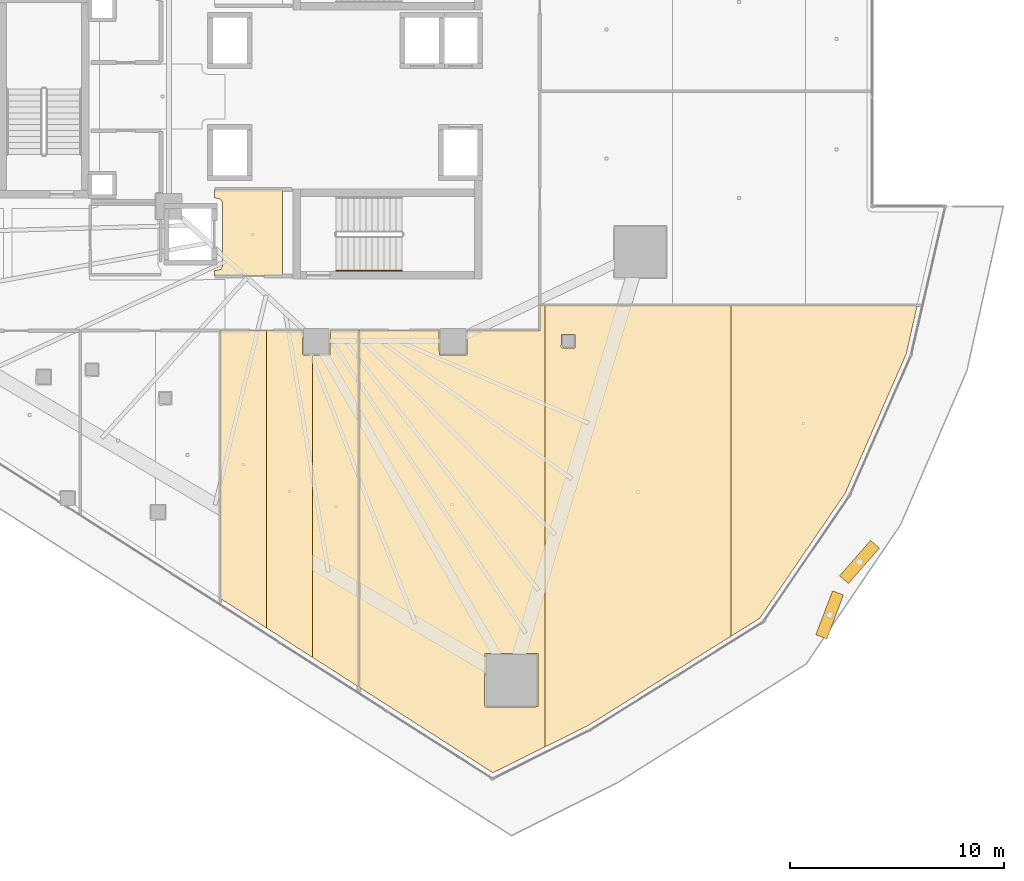
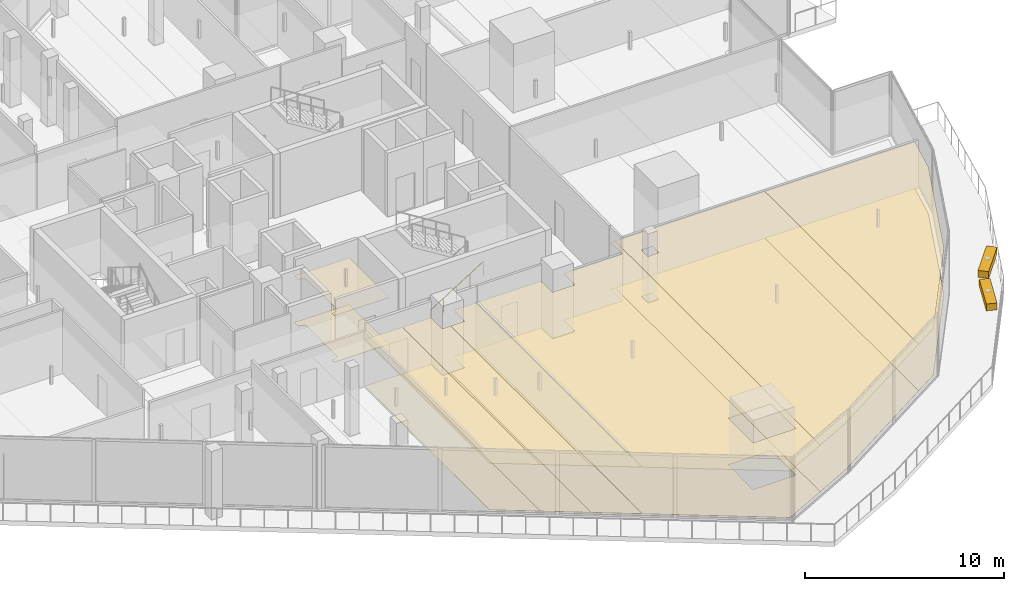
# One storey, part 41 of 47: 14 coverings, 2 shading devices, 1 railing.
"""IFC4 building model written with IfcOpenShell, lengths in metres."""

from ifc_helpers import new_model, si_unit, direction, frame, origin, origin_2d, place, context, subcontext, project, spatial, polyline, rectangle, circle, outline, extrude, material, layer, layer_set, type_object, element, save


model = new_model("IFC4")

# Units and contexts
model_context = context("Model", 3, precision=1e-05, world=origin(), true_north=direction((0.0, 1.0)))
body_context = subcontext(model_context, "Body", "Model", "MODEL_VIEW")
ifc_project = project(units=[si_unit("LENGTHUNIT", "METRE"), si_unit("AREAUNIT", "SQUARE_METRE"), si_unit("VOLUMEUNIT", "CUBIC_METRE"), si_unit("PLANEANGLEUNIT", "RADIAN"), si_unit("MASSUNIT", "GRAM", prefix="KILO")], contexts=[model_context])

# Site, building, storey
site_placement = place(None, origin())
site = spatial("IfcSite", under=ifc_project, at=site_placement, CompositionType="ELEMENT")
building_placement = place(site_placement, origin())
building = spatial("IfcBuilding", under=site, at=building_placement, Name="Qorvath Tower", CompositionType="ELEMENT")
storey_placement = place(building_placement, frame((0.0, 0.0, 82.800048828125)))
storey = spatial("IfcBuildingStorey", under=building, at=storey_placement, Name="L18", CompositionType="ELEMENT", Elevation=82.800048828125)

# Coverings
ifc_material_1 = material(Name="Acoustic mineral fibre ceiling tile", Category="gypsum")
ifc_layer_1 = layer(ifc_material_1, 0.030029296875)
ifc_layer_set_1 = layer_set([ifc_layer_1], Name="COV-CEIL")
covering_type_1 = type_object("IfcCoveringType", Name="COV-CEIL", PredefinedType="CEILING", material=ifc_layer_set_1)
covering_1_placement = place(storey_placement, frame((0.0, 0.0, 2.849853515625)))
element("IfcCovering", 1, at=covering_1_placement, inside=storey, type_object=covering_type_1, Name="L18 Suspended Acoustic Ceiling 002", PredefinedType="CEILING", context=body_context, shape_type="SweptSolid", body=[
    extrude(outline(polyline([(-25.18994140625, -8.39501953125), (-25.18994140625, -4.35498046875), (-28.375, -4.35498046875), (-28.375, -4.739990234375), (-28.063232421875, -4.813232421875), (-27.989990234375, -4.989990234375), (-27.989990234375, -7.909912109375), (-28.063232421875, -8.086669921875), (-28.375, -8.159912109375), (-28.375, -8.39501953125), (-25.18994140625, -8.39501953125)])), origin(), (0.0, 0.0, 1.0), 0.030029296875),
])
covering_2_placement = place(storey_placement, frame((0.0, 0.0, 2.849853515625)))
element("IfcCovering", 2, at=covering_2_placement, inside=storey, type_object=covering_type_1, Name="L18 Suspended Acoustic Ceiling 021", PredefinedType="CEILING", context=body_context, shape_type="SweptSolid", body=[
    extrude(outline(polyline([(-25.9296875, -24.88818359375), (-25.9296875, -10.962890625), (-28.0888671875, -10.962890625), (-28.0888671875, -23.508056640625), (-25.9296875, -24.88818359375)])), origin(), (0.0, 0.0, 1.0), 0.030029296875),
])
covering_3_placement = place(storey_placement, frame((0.0, 0.0, 2.849853515625)))
element("IfcCovering", 3, at=covering_3_placement, inside=storey, type_object=covering_type_1, Name="L18 Suspended Acoustic Ceiling 022", PredefinedType="CEILING", context=body_context, shape_type="SweptSolid", body=[
    extrude(outline(polyline([(-23.7705078125, -26.26806640625), (-23.7705078125, -12.10400390625), (-24.199951171875, -12.110107421875), (-24.260009765625, -12.050048828125), (-24.260009765625, -10.962890625), (-25.9296875, -10.962890625), (-25.9296875, -24.88818359375), (-23.7705078125, -26.26806640625)])), origin(), (0.0, 0.0, 1.0), 0.030029296875),
])
covering_4_placement = place(storey_placement, frame((0.0, 0.0, 2.849853515625)))
element("IfcCovering", 4, at=covering_4_placement, inside=storey, type_object=covering_type_1, Name="L18 Suspended Acoustic Ceiling 023", PredefinedType="CEILING", context=body_context, shape_type="SweptSolid", body=[
    extrude(outline(polyline([(-21.611328125, -27.648193359375), (-21.611328125, -10.962890625), (-22.93994140625, -10.962890625), (-22.95751953125, -12.092529296875), (-23.7705078125, -12.10400390625), (-23.7705078125, -26.26806640625), (-21.611328125, -27.648193359375)])), origin(), (0.0, 0.0, 1.0), 0.030029296875),
])
covering_5_placement = place(storey_placement, frame((0.0, 0.0, 2.849853515625)))
element("IfcCovering", 5, at=covering_5_placement, inside=storey, type_object=covering_type_1, Name="L18 Suspended Acoustic Ceiling 024", PredefinedType="CEILING", context=body_context, shape_type="SweptSolid", body=[
    extrude(outline(polyline([(-21.59326171875, -27.65966796875), (-15.33349609375, -31.660400390625), (-12.8828125, -30.447265625), (-12.8828125, -9.774658203125), (-13.136962890625, -9.7744140625), (-13.138427734375, -10.96142578125), (-16.5400390625, -10.962890625), (-16.5400390625, -12.050048828125), (-16.60009765625, -12.110107421875), (-17.842529296875, -12.092529296875), (-17.860107421875, -10.962890625), (-21.59326171875, -10.962890625), (-21.59326171875, -27.65966796875)]), holes=[polyline([(-15.724365234375, -28.53076171875), (-15.706787109375, -26.08837890625), (-13.221923828125, -26.08837890625), (-13.221923828125, -28.5732421875), (-15.664306640625, -28.5908203125), (-15.724365234375, -28.53076171875)])]), origin(), (0.0, 0.0, 1.0), 0.030029296875),
])
covering_6_placement = place(storey_placement, frame((0.0, 0.0, 2.849853515625)))
element("IfcCovering", 6, at=covering_6_placement, inside=storey, type_object=covering_type_1, Name="L18 Suspended Acoustic Ceiling 025", PredefinedType="CEILING", context=body_context, shape_type="SweptSolid", body=[
    extrude(outline(polyline([(-12.8828125, -9.774658203125), (-12.8828125, -30.447265625), (-10.8984375, -29.465087890625), (-4.17236328125, -25.264404296875), (-4.17236328125, -9.77685546875), (-12.8828125, -9.774658203125)]), holes=[polyline([(-12.135009765625, -11.72509765625), (-12.117431640625, -11.132568359375), (-11.482666015625, -11.132568359375), (-11.482666015625, -11.767333984375), (-12.074951171875, -11.784912109375), (-12.135009765625, -11.72509765625)])]), origin(), (0.0, 0.0, 1.0), 0.030029296875),
])
covering_7_placement = place(storey_placement, frame((0.0, 0.0, 2.849853515625)))
element("IfcCovering", 7, at=covering_7_placement, inside=storey, type_object=covering_type_1, Name="L18 Suspended Acoustic Ceiling 026", PredefinedType="CEILING", context=body_context, shape_type="SweptSolid", body=[
    extrude(outline(polyline([(-4.17236328125, -9.77685546875), (-4.17236328125, -25.264404296875), (-2.834228515625, -24.428955078125), (1.166259765625, -18.572021484375), (4.025390625, -12.048828125), (4.5380859375, -9.779052734375), (-4.17236328125, -9.77685546875)])), origin(), (0.0, 0.0, 1.0), 0.030029296875),
])
ifc_material_2 = material(Name="Low-VOC modular carpet tile", Category="textile")
ifc_layer_2 = layer(ifc_material_2, 0.014892578125)
ifc_layer_set_2 = layer_set([ifc_layer_2], Name="COV-FLOOR-CPT")
covering_type_2 = type_object("IfcCoveringType", Name="COV-FLOOR-CPT", PredefinedType="FLOORING", material=ifc_layer_set_2)
covering_8_placement = place(storey_placement, origin())
element("IfcCovering", 8, at=covering_8_placement, inside=storey, type_object=covering_type_2, Name="L18 Floor Finish 021", PredefinedType="FLOORING", context=body_context, shape_type="SweptSolid", body=[
    extrude(outline(polyline([(-25.9296875, -24.88818359375), (-25.9296875, -10.962890625), (-28.0888671875, -10.962890625), (-28.0888671875, -23.508056640625), (-25.9296875, -24.88818359375)])), origin(), (0.0, 0.0, 1.0), 0.014892578125),
])
covering_9_placement = place(storey_placement, origin())
element("IfcCovering", 9, at=covering_9_placement, inside=storey, type_object=covering_type_2, Name="L18 Floor Finish 022", PredefinedType="FLOORING", context=body_context, shape_type="SweptSolid", body=[
    extrude(outline(polyline([(-23.7705078125, -26.26806640625), (-23.7705078125, -12.10400390625), (-24.199951171875, -12.110107421875), (-24.260009765625, -12.050048828125), (-24.260009765625, -10.962890625), (-25.9296875, -10.962890625), (-25.9296875, -24.88818359375), (-23.7705078125, -26.26806640625)])), origin(), (0.0, 0.0, 1.0), 0.014892578125),
])
covering_10_placement = place(storey_placement, origin())
element("IfcCovering", 10, at=covering_10_placement, inside=storey, type_object=covering_type_2, Name="L18 Floor Finish 023", PredefinedType="FLOORING", context=body_context, shape_type="SweptSolid", body=[
    extrude(outline(polyline([(-21.611328125, -27.648193359375), (-21.611328125, -10.962890625), (-22.93994140625, -10.962890625), (-22.95751953125, -12.092529296875), (-23.7705078125, -12.10400390625), (-23.7705078125, -26.26806640625), (-21.611328125, -27.648193359375)])), origin(), (0.0, 0.0, 1.0), 0.014892578125),
])
covering_11_placement = place(storey_placement, origin())
element("IfcCovering", 11, at=covering_11_placement, inside=storey, type_object=covering_type_2, Name="L18 Floor Finish 024", PredefinedType="FLOORING", context=body_context, shape_type="SweptSolid", body=[
    extrude(outline(polyline([(-21.59326171875, -27.65966796875), (-15.33349609375, -31.660400390625), (-12.8828125, -30.447265625), (-12.8828125, -9.774658203125), (-13.136962890625, -9.7744140625), (-13.138427734375, -10.96142578125), (-16.5400390625, -10.962890625), (-16.5400390625, -12.050048828125), (-16.60009765625, -12.110107421875), (-17.842529296875, -12.092529296875), (-17.860107421875, -10.962890625), (-21.59326171875, -10.962890625), (-21.59326171875, -27.65966796875)]), holes=[polyline([(-15.724365234375, -28.53076171875), (-15.706787109375, -26.08837890625), (-13.221923828125, -26.08837890625), (-13.221923828125, -28.5732421875), (-15.664306640625, -28.5908203125), (-15.724365234375, -28.53076171875)])]), origin(), (0.0, 0.0, 1.0), 0.014892578125),
])
covering_12_placement = place(storey_placement, origin())
element("IfcCovering", 12, at=covering_12_placement, inside=storey, type_object=covering_type_2, Name="L18 Floor Finish 025", PredefinedType="FLOORING", context=body_context, shape_type="SweptSolid", body=[
    extrude(outline(polyline([(-12.8828125, -9.774658203125), (-12.8828125, -30.447265625), (-10.8984375, -29.465087890625), (-4.17236328125, -25.264404296875), (-4.17236328125, -9.77685546875), (-12.8828125, -9.774658203125)]), holes=[polyline([(-12.135009765625, -11.72509765625), (-12.117431640625, -11.132568359375), (-11.482666015625, -11.132568359375), (-11.482666015625, -11.767333984375), (-12.074951171875, -11.784912109375), (-12.135009765625, -11.72509765625)])]), origin(), (0.0, 0.0, 1.0), 0.014892578125),
])
covering_13_placement = place(storey_placement, origin())
element("IfcCovering", 13, at=covering_13_placement, inside=storey, type_object=covering_type_2, Name="L18 Floor Finish 026", PredefinedType="FLOORING", context=body_context, shape_type="SweptSolid", body=[
    extrude(outline(polyline([(-4.17236328125, -9.77685546875), (-4.17236328125, -25.264404296875), (-2.834228515625, -24.428955078125), (1.166259765625, -18.572021484375), (4.025390625, -12.048828125), (4.5380859375, -9.779052734375), (-4.17236328125, -9.77685546875)])), origin(), (0.0, 0.0, 1.0), 0.014892578125),
])
ifc_material_3 = material(Name="Polished epoxy terrazzo flooring", Category="concrete")
ifc_layer_3 = layer(ifc_material_3, 0.02001953125)
ifc_layer_set_3 = layer_set([ifc_layer_3], Name="COV-FLOOR-TRZ")
covering_type_3 = type_object("IfcCoveringType", Name="COV-FLOOR-TRZ", PredefinedType="FLOORING", material=ifc_layer_set_3)
covering_14_placement = place(storey_placement, origin())
element("IfcCovering", 14, at=covering_14_placement, inside=storey, type_object=covering_type_3, Name="L18 Floor Finish 002", PredefinedType="FLOORING", context=body_context, shape_type="SweptSolid", body=[
    extrude(outline(polyline([(-25.18994140625, -8.39501953125), (-25.18994140625, -4.35498046875), (-28.375, -4.35498046875), (-28.375, -4.739990234375), (-28.063232421875, -4.813232421875), (-27.989990234375, -4.989990234375), (-27.989990234375, -7.909912109375), (-28.063232421875, -8.086669921875), (-28.375, -8.159912109375), (-28.375, -8.39501953125), (-25.18994140625, -8.39501953125)])), origin(), (0.0, 0.0, 1.0), 0.014892578125),
])

# Railing
ifc_material_4 = material(Name="Brushed stainless steel AISI 304", Category="steel")
railing_type = type_object("IfcRailingType", Name="RL-STR-HND", PredefinedType="HANDRAIL", material=ifc_material_4)
railing_placement = place(storey_placement, frame((-22.669921875, -8.14990234375, 0.175048828125)))
element("IfcRailing", 15, at=railing_placement, inside=storey, type_object=railing_type, Name="L18 TS2 stair handrail 1", PredefinedType="HANDRAIL", context=body_context, shape_type="SweptSolid", body=[
    extrude(circle(Radius=0.02392578125, at=origin_2d()), frame((0.0, 0.0, 0.8759765625), z_axis=(0.848009633417, 0.0, 0.529980812513), x_axis=(0.0, 1.0, 0.0)), (0.0, 0.0, 1.0), 3.6318359375),
    extrude(circle(Radius=0.02099609375, at=origin_2d()), origin(), (0.0, 0.0, 1.0), 0.851806640625),
    extrude(circle(Radius=0.02099609375, at=origin_2d()), frame((0.77001953125, 0.0, 0.481201171875)), (0.0, 0.0, 1.0), 0.851806640625),
    extrude(circle(Radius=0.02099609375, at=origin_2d()), frame((1.5400390625, 0.0, 0.96240234375)), (0.0, 0.0, 1.0), 0.851806640625),
    extrude(circle(Radius=0.02099609375, at=origin_2d()), frame((2.309814453125, 0.0, 1.443603515625)), (0.0, 0.0, 1.0), 0.851806640625),
    extrude(circle(Radius=0.02099609375, at=origin_2d()), frame((3.079833984375, 0.0, 1.9248046875)), (0.0, 0.0, 1.0), 0.851806640625),
])

# Shading devices
ifc_material_5 = material(Name="Anodised bronze-champagne aluminium", Category="aluminium")
shading_device_type = type_object("IfcShadingDeviceType", Name="SD-LOUVRE", PredefinedType="JALOUSIE", material=ifc_material_5)
for number, where, z_axis, x_axis, name in (
    (16, (0.437255859375, -24.270263671875, 3.5), (0.0, 0.0, 1.0), (0.354194741108, 0.935171687644, 0.0), "Sinusoidal Wave Louvre Blade L18-03"),
    (17, (1.833251953125, -21.79296875, 3.5), (0.0, 0.0, 1.0), (0.658287523403, 0.752766588347, 0.0), "Sinusoidal Wave Louvre Blade L18-04"),
):
    element("IfcShadingDevice", number, at=place(storey_placement, frame(where, z_axis=z_axis, x_axis=x_axis)), inside=storey, type_object=shading_device_type, Name=name, PredefinedType="NOTDEFINED", context=body_context, shape_type="SweptSolid", body=[
        extrude(rectangle(XDim=2.199951171875, YDim=0.550048828125, at=origin_2d()), origin(), (0.0, 0.0, 1.0), 0.419921875),
    ])

save(model, "model.ifc")
